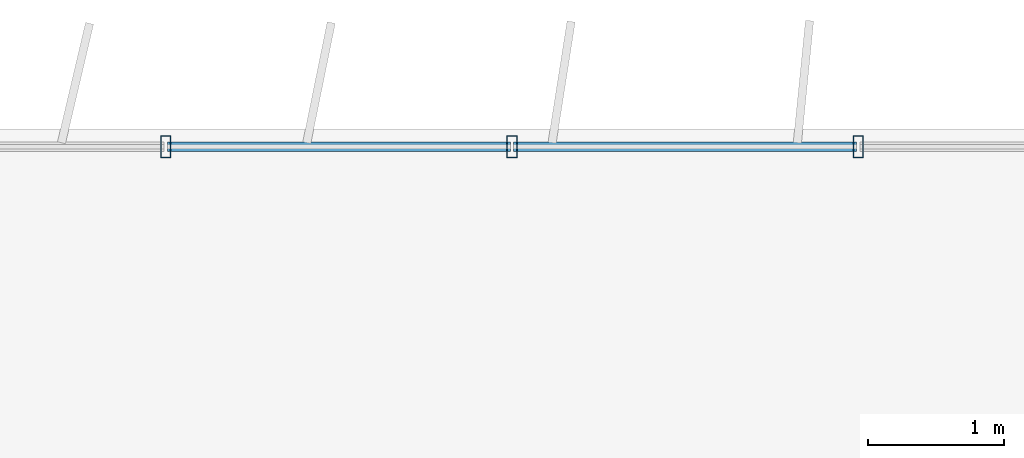
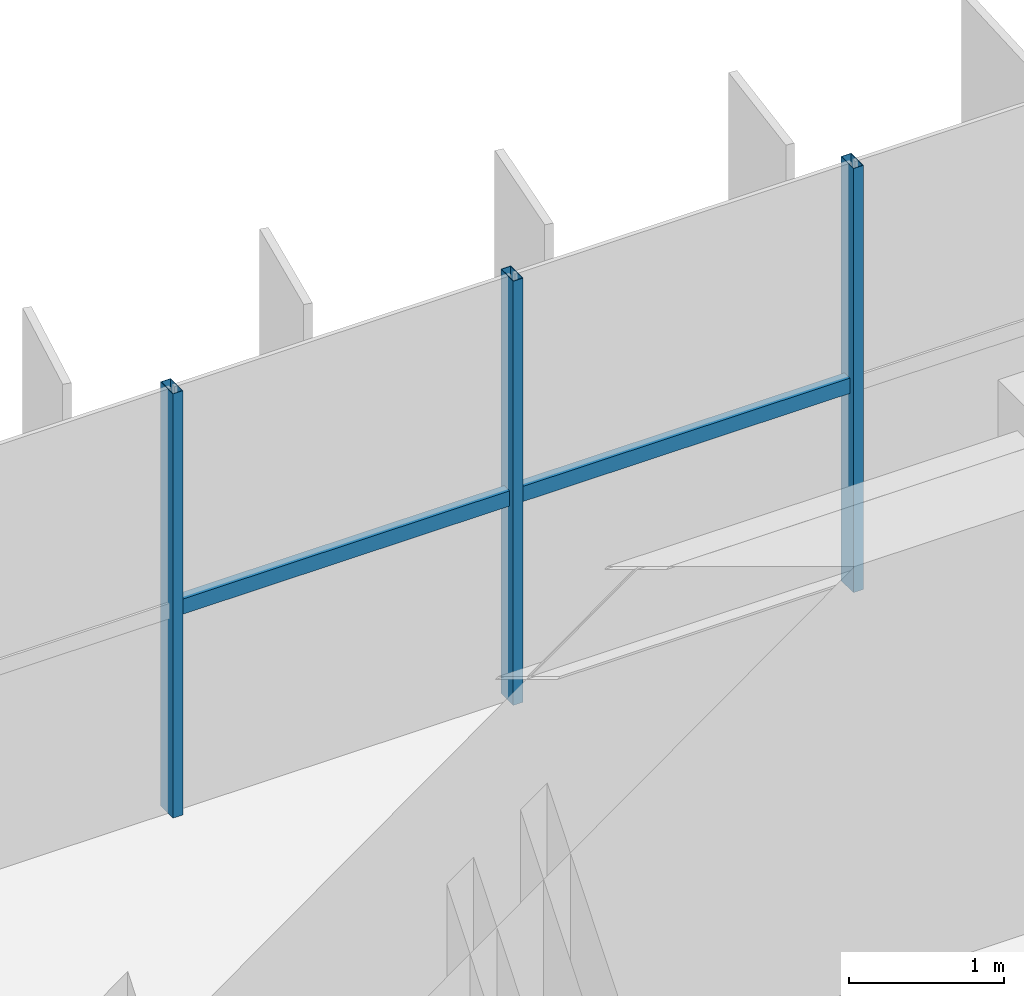
# One storey, part 6 of 22: 5 members, 1 element without a shape of its own.
"""IFC4 building model written with IfcOpenShell, lengths in metres."""

import ifcopenshell
import ifcopenshell.guid

model = None  # the IFC model being written
_history = None  # IfcOwnerHistory: only IFC2X3 demands one
_inside = {}  # id of a spatial element -> (the spatial element, [elements in it])
_under = {}  # id of a project, library or spatial element -> (it, [spatial elements below it])
_declared = {}  # id of a project -> (the project, [libraries it declares])
_typed = {}  # id of a type object -> (the type object, [elements of that type])
_made_of = {}  # id of a material, layer set ... -> (it, [elements and type objects made of it])


def new_model(schema):
    """Start an empty IFC model of exactly this schema.

    Asked for "IFC4X3", IfcOpenShell would pick the latest addendum, in which some entities
    have other attributes; the version numbers below select the first issue.
    IFC2X3 requires an IfcOwnerHistory on every rooted entity: one is made here for all.
    """
    global model, _history
    if schema == "IFC4X3":
        model = ifcopenshell.file(schema_version=(4, 3, 0, 0))
    else:
        model = ifcopenshell.file(schema=schema)
    _inside.clear()
    _under.clear()
    _declared.clear()
    _typed.clear()
    _made_of.clear()
    _history = None
    if model.schema == "IFC2X3":
        org = make("IfcOrganization", Name="unknown")
        user = make(
            "IfcPersonAndOrganization",
            ThePerson=make("IfcPerson", FamilyName="unknown"),
            TheOrganization=org,
        )
        app = make(
            "IfcApplication",
            ApplicationDeveloper=org,
            Version="unknown",
            ApplicationFullName="unknown",
            ApplicationIdentifier="unknown",
        )
        _history = make(
            "IfcOwnerHistory",
            OwningUser=user,
            OwningApplication=app,
            ChangeAction="ADDED",
            CreationDate=0,
        )
    return model


def make(cls, **values):
    """One entity of the class cls with the attributes given. An attribute that is None is left unset."""
    return model.create_entity(
        cls, **{name: value for name, value in values.items() if value is not None}
    )


def rooted(cls, **values):
    """An entity with a GlobalId (a new one), such as an element, a storey or a relation."""
    return make(cls, GlobalId=ifcopenshell.guid.new(), OwnerHistory=_history, **values)


def si_unit(unit_type, name, prefix=None):
    """IfcSIUnit, for example si_unit("LENGTHUNIT", "METRE", prefix="MILLI")."""
    return make("IfcSIUnit", UnitType=unit_type, Prefix=prefix, Name=name)


def assignment(units):
    """IfcUnitAssignment: the units of a project."""
    return None if units is None else make("IfcUnitAssignment", Units=units)


def point(xyz):
    """IfcCartesianPoint."""
    return None if xyz is None else make("IfcCartesianPoint", Coordinates=xyz)


def direction(xyz):
    """IfcDirection."""
    return None if xyz is None else make("IfcDirection", DirectionRatios=xyz)


def frame(location, z_axis=None, x_axis=None):
    """IfcAxis2Placement3D, a coordinate frame: its origin and axes. An axis left out is left unset."""
    return make(
        "IfcAxis2Placement3D",
        Location=point(location),
        Axis=direction(z_axis),
        RefDirection=direction(x_axis),
    )


def frame_2d(location, x_axis=None):
    """IfcAxis2Placement2D, a coordinate frame in the plane: its origin and x axis."""
    return make(
        "IfcAxis2Placement2D", Location=point(location), RefDirection=direction(x_axis)
    )


def origin():
    """The frame at (0, 0, 0) with its axes left unset."""
    return frame((0.0, 0.0, 0.0))


def origin_2d():
    """The frame at (0, 0) in the plane with its x axis left unset."""
    return frame_2d((0.0, 0.0))


def place(relative_to, where):
    """IfcLocalPlacement: puts the frame where relative to a parent placement (None: the world)."""
    return make(
        "IfcLocalPlacement", PlacementRelTo=relative_to, RelativePlacement=where
    )


def context(
    kind, dimensions, precision=None, world=None, true_north=None, identifier=None
):
    """IfcGeometricRepresentationContext, for example the 3D "Model" context."""
    return make(
        "IfcGeometricRepresentationContext",
        ContextIdentifier=identifier,
        ContextType=kind,
        CoordinateSpaceDimension=dimensions,
        Precision=precision,
        WorldCoordinateSystem=world,
        TrueNorth=true_north,
    )


def subcontext(parent, identifier, kind, view, scale=None):
    """IfcGeometricRepresentationSubContext, for example "Body" below "Model"."""
    return make(
        "IfcGeometricRepresentationSubContext",
        ContextIdentifier=identifier,
        ContextType=kind,
        ParentContext=parent,
        TargetScale=scale,
        TargetView=view,
    )


def project(units=None, contexts=None):
    """IfcProject with its units and contexts."""
    return rooted(
        "IfcProject",
        Name="project",
        RepresentationContexts=contexts,
        UnitsInContext=assignment(units),
    )


def spatial(cls, under=None, at=None, **own):
    """A site, building, storey or space (cls), placed at a placement, below another one or the project."""
    s = rooted(cls, ObjectPlacement=at, **own)
    if under is not None:
        _under.setdefault(under.id(), (under, []))[1].append(s)
    return s


def profile(cls, at=None, kind="AREA", **sizes):
    """A parametric profile (cls). Its sizes go by their IFC names, for example OverallWidth=200.0."""
    return make(cls, ProfileType=kind, Position=at, **sizes)


def hollow_rectangle(**sizes):
    """IfcRectangleHollowProfileDef."""
    return profile("IfcRectangleHollowProfileDef", **sizes)


def extrude(swept, where, along, depth):
    """IfcExtrudedAreaSolid: the profile swept, set in the frame where, extruded along a direction by depth."""
    return make(
        "IfcExtrudedAreaSolid",
        SweptArea=swept,
        Position=where,
        ExtrudedDirection=direction(along),
        Depth=depth,
    )


def shape(context_of_items, identifier, shape_type, items):
    """IfcShapeRepresentation: the items that make up one representation, for example the "Body"."""
    return make(
        "IfcShapeRepresentation",
        ContextOfItems=context_of_items,
        RepresentationIdentifier=identifier,
        RepresentationType=shape_type,
        Items=items,
    )


def source(mapping_origin, context_of_items, identifier, shape_type, items):
    """IfcRepresentationMap: a shape defined once, which mapped items show again and again."""
    return make(
        "IfcRepresentationMap",
        MappingOrigin=mapping_origin,
        MappedRepresentation=shape(context_of_items, identifier, shape_type, items),
    )


def transform(
    local_origin,
    x_axis=None,
    y_axis=None,
    z_axis=None,
    scale=None,
    scale2=None,
    scale3=None,
    uniform=True,
):
    """IfcCartesianTransformationOperator3D, or its non-uniform kind. x_axis, y_axis, z_axis: its Axis1, 2, 3."""
    if uniform:
        return make(
            "IfcCartesianTransformationOperator3D",
            Axis1=direction(x_axis),
            Axis2=direction(y_axis),
            LocalOrigin=point(local_origin),
            Scale=scale,
            Axis3=direction(z_axis),
        )
    return make(
        "IfcCartesianTransformationOperator3DnonUniform",
        Axis1=direction(x_axis),
        Axis2=direction(y_axis),
        LocalOrigin=point(local_origin),
        Scale=scale,
        Axis3=direction(z_axis),
        Scale2=scale2,
        Scale3=scale3,
    )


def mapped(mapping_source, mapping_target):
    """IfcMappedItem: shows the shape of a source again, moved by a transform."""
    return make(
        "IfcMappedItem", MappingSource=mapping_source, MappingTarget=mapping_target
    )


def material(Name=None, Category=None):
    """IfcMaterial."""
    return make("IfcMaterial", Name=Name, Category=Category)


def material_profile(
    of_material, cross_section, Name=None, Category=None, Priority=None
):
    """IfcMaterialProfile: a cross section and its material."""
    return make(
        "IfcMaterialProfile",
        Name=Name,
        Material=of_material,
        Profile=cross_section,
        Priority=Priority,
        Category=Category,
    )


def profile_set(profiles, Name=None, composite=None):
    """IfcMaterialProfileSet."""
    return make(
        "IfcMaterialProfileSet",
        Name=Name,
        MaterialProfiles=profiles,
        CompositeProfile=composite,
    )


def made_of(thing, what):
    """Note that an element or type object is made of a material, layer set ...; save() writes the relation."""
    if what is not None:
        _made_of.setdefault(what.id(), (what, []))[1].append(thing)
    return thing


def type_object(cls, material=None, **own):
    """A type object (cls), such as IfcWallType, which elements share."""
    return made_of(rooted(cls, **own), material)


def element(
    cls,
    number,
    at=None,
    inside=None,
    cuts=None,
    type_object=None,
    material=None,
    context=None,
    identifier="Body",
    shape_type=None,
    held_by="IfcProductDefinitionShape",
    body=None,
    shapes=None,
    **own,
):
    """One element of the class cls, such as IfcWall. Its Tag is "e" and its number.

    at: its placement. inside: the storey or other place that contains it. cuts: it is an
    opening in that element (IfcRelVoidsElement). A single representation is given by context,
    identifier, shape_type and body (its items); several are given by shapes. held_by: the class
    of the entity that holds the representations. save() writes the other relations.
    """
    e = rooted(cls, Tag="e%d" % number, ObjectPlacement=at, **own)
    if body is not None:
        shapes = [shape(context, identifier, shape_type, body)]
    if shapes is not None:
        e.Representation = make(held_by, Representations=shapes)
    if inside is not None:
        _inside.setdefault(inside.id(), (inside, []))[1].append(e)
    if cuts is not None:
        rooted(
            "IfcRelVoidsElement", RelatingBuildingElement=cuts, RelatedOpeningElement=e
        )
    if type_object is not None:
        _typed.setdefault(type_object.id(), (type_object, []))[1].append(e)
    return made_of(e, material)


def aggregate(whole, parts):
    """IfcRelAggregates: a whole, such as a stair, and the parts it consists of."""
    return rooted("IfcRelAggregates", RelatingObject=whole, RelatedObjects=parts)


def save(model, path):
    """Write the relations noted so far, then the file.

    IfcRelAggregates (storeys below a building ...), IfcRelContainedInSpatialStructure (elements
    in a storey), IfcRelDefinesByType, IfcRelAssociatesMaterial and IfcRelDeclares: one each for
    every whole, place, type object, material and project.
    """
    for whole, parts in _under.values():
        aggregate(whole, parts)
    for where, things in _inside.values():
        rooted(
            "IfcRelContainedInSpatialStructure",
            RelatedElements=things,
            RelatingStructure=where,
        )
    for kind, things in _typed.values():
        rooted("IfcRelDefinesByType", RelatedObjects=things, RelatingType=kind)
    for what, things in _made_of.values():
        rooted("IfcRelAssociatesMaterial", RelatedObjects=things, RelatingMaterial=what)
    for by, libraries in _declared.values():
        rooted("IfcRelDeclares", RelatingContext=by, RelatedDefinitions=libraries)
    model.write(path)


model = new_model("IFC4")

# Units and contexts
model_context = context("Model", 3, precision=1e-05, world=origin(), true_north=direction((0.0, 1.0)))
body_context = subcontext(model_context, "Body", "Model", "MODEL_VIEW")
ifc_project = project(units=[si_unit("LENGTHUNIT", "METRE"), si_unit("AREAUNIT", "SQUARE_METRE"), si_unit("VOLUMEUNIT", "CUBIC_METRE"), si_unit("PLANEANGLEUNIT", "RADIAN"), si_unit("MASSUNIT", "GRAM", prefix="KILO")], contexts=[model_context])

# Site, building, storey
site_placement = place(None, origin())
site = spatial("IfcSite", under=ifc_project, at=site_placement, CompositionType="ELEMENT")
building_placement = place(site_placement, origin())
building = spatial("IfcBuilding", under=site, at=building_placement, Name="Trelvane Seafront Commons", CompositionType="ELEMENT")
storey_placement = place(building_placement, frame((0.0, 0.0, 139.300048828125)))
storey = spatial("IfcBuildingStorey", under=building, at=storey_placement, Name="L36", CompositionType="ELEMENT", Elevation=139.300048828125)

# Curtain wall, members
ifc_material = material(Name="Anodised pale-silver aluminium", Category="aluminium")
curtain_wall_type = type_object("IfcCurtainWallType", Name="ARCH-CW5-UPTOWER", PredefinedType="NOTDEFINED", material=ifc_material)
curtain_wall_placement = place(storey_placement, origin())
curtain_wall = element("IfcCurtainWall", 1, at=curtain_wall_placement, inside=storey, type_object=curtain_wall_type, Name="CW-L36-0063", PredefinedType="NOTDEFINED")
ifc_material_profile_1 = material_profile(ifc_material, hollow_rectangle(XDim=0.070068359375, YDim=0.1201171875, WallThickness=0.00390625, at=origin_2d()), Name="TRAN-70x120x4")
ifc_profile_set_1 = profile_set([ifc_material_profile_1], Name="Anodised pale-silver aluminium")
member_type_1 = type_object("IfcMemberType", Name="ARCH-CW-TRAN-120", PredefinedType="USERDEFINED", material=ifc_profile_set_1)
shared_shape_1 = source(origin(), body_context, "Body", "SweptSolid", [
    extrude(hollow_rectangle(XDim=0.070068359375, YDim=0.1201171875, WallThickness=0.00390625, at=origin_2d()), origin(), (0.0, 0.0, 1.0), 2.517333984375),
])
member_1_placement = place(storey_placement, frame((25.776611328125, 48.3701171875, 1.60791015625), z_axis=(1.0, 0.0, 0.0), x_axis=(0.0, 1.0, 0.0)))
member_1 = element("IfcMember", 2, at=member_1_placement, type_object=member_type_1, Name="CW-L36-0063-T04", ObjectType="TRANSOM", PredefinedType="USERDEFINED", context=body_context, shape_type="MappedRepresentation", body=[
    mapped(shared_shape_1, transform((0.0, 0.0, 0.0), x_axis=(1.0, 0.0, 0.0), y_axis=(0.0, 1.0, 0.0), z_axis=(0.0, 0.0, 1.0), scale=1.0)),
])
member_2_placement = place(storey_placement, frame((28.31787109375, 48.3701171875, 1.60791015625), z_axis=(1.0, 0.0, 0.0), x_axis=(0.0, 1.0, 0.0)))
member_2 = element("IfcMember", 3, at=member_2_placement, type_object=member_type_1, Name="CW-L36-0063-T05", ObjectType="TRANSOM", PredefinedType="USERDEFINED", context=body_context, shape_type="MappedRepresentation", body=[
    mapped(shared_shape_1, transform((0.0, 0.0, 0.0), x_axis=(1.0, 0.0, 0.0), y_axis=(0.0, 1.0, 0.0), z_axis=(0.0, 0.0, 1.0), scale=1.0)),
])
ifc_material_profile_2 = material_profile(ifc_material, hollow_rectangle(XDim=0.074951171875, YDim=0.159912109375, WallThickness=0.00390625, at=origin_2d()), Name="MULL-75x160x4")
ifc_profile_set_2 = profile_set([ifc_material_profile_2], Name="Anodised pale-silver aluminium")
member_type_2 = type_object("IfcMemberType", Name="ARCH-CW-MULL-160", PredefinedType="MULLION", material=ifc_profile_set_2)
shared_shape_2 = source(origin(), body_context, "Body", "SweptSolid", [
    extrude(hollow_rectangle(XDim=0.074951171875, YDim=0.159912109375, WallThickness=0.00390625, at=origin_2d()), origin(), (0.0, 0.0, 1.0), 3.349853515625),
])
member_3_placement = place(storey_placement, frame((25.7646484375, 48.3701171875, 0.0), z_axis=(0.0, 0.0, 1.0), x_axis=(1.0, 0.0, 0.0)))
member_3 = element("IfcMember", 4, at=member_3_placement, type_object=member_type_2, Name="CW-L36-0063-M04", PredefinedType="MULLION", context=body_context, shape_type="MappedRepresentation", body=[
    mapped(shared_shape_2, transform((0.0, 0.0, 0.0), x_axis=(1.0, 0.0, 0.0), y_axis=(0.0, 1.0, 0.0), z_axis=(0.0, 0.0, 1.0), scale=1.0)),
])
member_4_placement = place(storey_placement, frame((28.305908203125, 48.3701171875, 0.0), z_axis=(0.0, 0.0, 1.0), x_axis=(1.0, 0.0, 0.0)))
member_4 = element("IfcMember", 5, at=member_4_placement, type_object=member_type_2, Name="CW-L36-0063-M05", PredefinedType="MULLION", context=body_context, shape_type="MappedRepresentation", body=[
    mapped(shared_shape_2, transform((0.0, 0.0, 0.0), x_axis=(1.0, 0.0, 0.0), y_axis=(0.0, 1.0, 0.0), z_axis=(0.0, 0.0, 1.0), scale=1.0)),
])
member_5_placement = place(storey_placement, frame((30.84716796875, 48.3701171875, 0.0), z_axis=(0.0, 0.0, 1.0), x_axis=(1.0, 0.0, 0.0)))
member_5 = element("IfcMember", 6, at=member_5_placement, type_object=member_type_2, Name="CW-L36-0063-M06", PredefinedType="MULLION", context=body_context, shape_type="MappedRepresentation", body=[
    mapped(shared_shape_2, transform((0.0, 0.0, 0.0), x_axis=(1.0, 0.0, 0.0), y_axis=(0.0, 1.0, 0.0), z_axis=(0.0, 0.0, 1.0), scale=1.0)),
])
aggregate(curtain_wall, [member_3, member_4, member_5, member_1, member_2])

save(model, "model.ifc")
